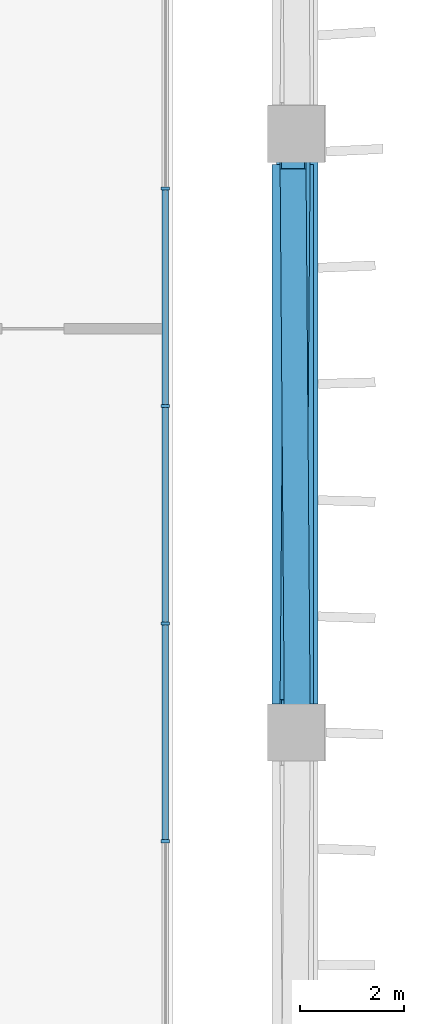
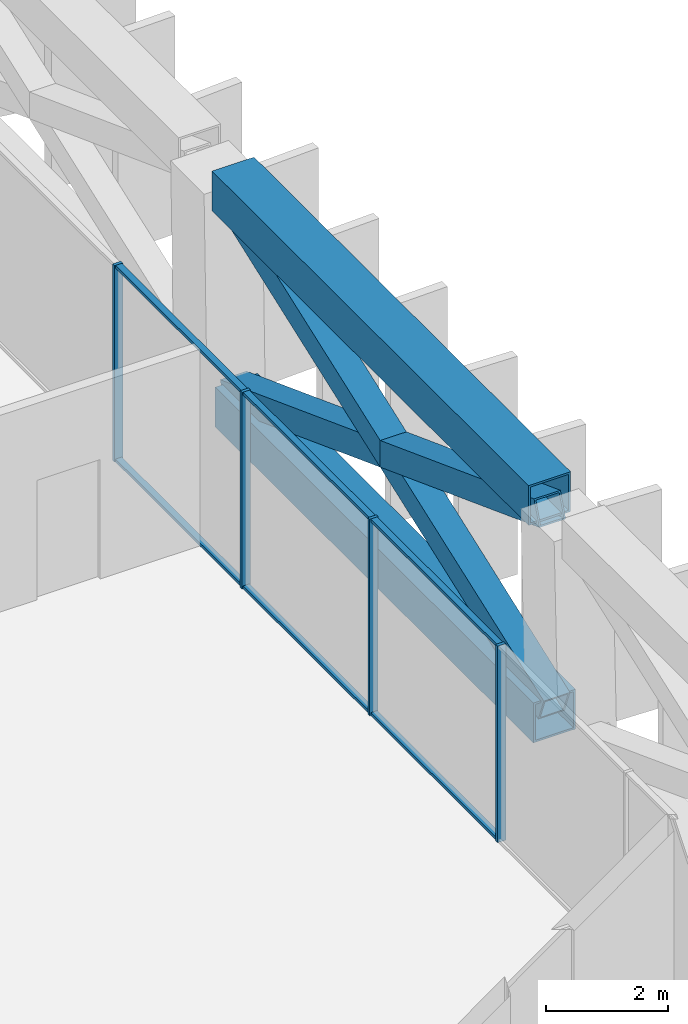
# One storey, part 8 of 17: 14 members, 1 element without a shape of its own.
"""IFC4 building model written with IfcOpenShell, lengths in metres."""

from ifc_helpers import new_model, si_unit, direction, frame, origin, origin_2d, place, context, subcontext, project, spatial, rectangle, hollow_rectangle, extrude, material, layer, layer_set, material_profile, profile_set, type_object, element, aggregate, save


model = new_model("IFC4")

# Units and contexts
model_context = context("Model", 3, precision=1e-05, world=origin(), true_north=direction((0.0, 1.0)))
body_context = subcontext(model_context, "Body", "Model", "MODEL_VIEW")
ifc_project = project(units=[si_unit("LENGTHUNIT", "METRE"), si_unit("AREAUNIT", "SQUARE_METRE"), si_unit("VOLUMEUNIT", "CUBIC_METRE"), si_unit("PLANEANGLEUNIT", "RADIAN"), si_unit("MASSUNIT", "GRAM", prefix="KILO")], contexts=[model_context])

# Site, building, storey
site_placement = place(None, origin())
site = spatial("IfcSite", under=ifc_project, at=site_placement, CompositionType="ELEMENT")
building_placement = place(site_placement, origin())
building = spatial("IfcBuilding", under=site, at=building_placement, Name="Jabali Bay Hotel Tower and Convention Centre", CompositionType="ELEMENT")
storey_placement = place(building_placement, frame((0.0, 0.0, 102.39990234375)))
storey = spatial("IfcBuildingStorey", under=building, at=storey_placement, Name="L24", CompositionType="ELEMENT", Elevation=102.39990234375)

# Members
ifc_material_1 = material(Name="Steel Q420GJC", Category="steel")
ifc_material_profile_1 = material_profile(ifc_material_1, hollow_rectangle(XDim=0.5, YDim=0.5, WallThickness=0.030029296875, at=origin_2d()), Name="Belt brace 500x500x30")
ifc_profile_set_1 = profile_set([ifc_material_profile_1], Name="Steel Q420GJC")
member_type_1 = type_object("IfcMemberType", Name="Belt brace 500x500x30", PredefinedType="BRACE", material=ifc_profile_set_1)
member_1_placement = place(storey_placement, frame((97.583984375, 80.550048828125, 0.210205078125), z_axis=(-0.007200392372, 0.934168838895, 0.356758650614), x_axis=(-0.999970296185, -0.007707577252, 0.0)))
element("IfcMember", 1, at=member_1_placement, inside=storey, type_object=member_type_1, Name="Belt brace T2 F0.3-F0.4 x1", PredefinedType="BRACE", context=body_context, shape_type="SweptSolid", body=[
    extrude(hollow_rectangle(XDim=0.5, YDim=0.5, WallThickness=0.030029296875, at=origin_2d()), origin(), (0.0, 0.0, 1.0), 11.1552734375),
])
member_2_placement = place(storey_placement, frame((97.583984375, 91.01806640625, 0.209228515625), z_axis=(-0.00717163959, -0.934645564439, 0.355508419676), x_axis=(0.99997056298, -0.007672885585, 0.0)))
element("IfcMember", 2, at=member_2_placement, inside=storey, type_object=member_type_1, Name="Belt brace T2 F0.3-F0.4 x2", PredefinedType="BRACE", context=body_context, shape_type="SweptSolid", body=[
    extrude(hollow_rectangle(XDim=0.5, YDim=0.5, WallThickness=0.030029296875, at=origin_2d()), origin(), (0.0, 0.0, 1.0), 11.199951171875),
])
ifc_material_profile_2 = material_profile(ifc_material_1, hollow_rectangle(XDim=0.800048828125, YDim=0.800048828125, WallThickness=0.0400390625, at=origin_2d()), Name="Belt chord 800x800x40")
ifc_profile_set_2 = profile_set([ifc_material_profile_2], Name="Steel Q420GJC")
member_type_2 = type_object("IfcMemberType", Name="Belt chord 800x800x40", PredefinedType="CHORD", material=ifc_profile_set_2)
member_3_placement = place(storey_placement, frame((97.58837890625, 80.550048828125, 0.0), z_axis=(0.0, 1.0, 0.0), x_axis=(-1.0, 0.0, 0.0)))
element("IfcMember", 3, at=member_3_placement, inside=storey, type_object=member_type_2, Name="Belt chord T2 F0.3-F0.4", PredefinedType="CHORD", context=body_context, shape_type="SweptSolid", body=[
    extrude(hollow_rectangle(XDim=0.800048828125, YDim=0.800048828125, WallThickness=0.0400390625, at=origin_2d()), origin(), (0.0, 0.0, 1.0), 10.4677734375),
])
member_4_placement = place(storey_placement, frame((97.49951171875, 80.550048828125, 4.400146484375), z_axis=(0.0, 1.0, 0.0), x_axis=(-1.0, 0.0, 0.0)))
element("IfcMember", 4, at=member_4_placement, inside=storey, type_object=member_type_2, Name="Belt chord T2 F0.3-F0.4", PredefinedType="CHORD", context=body_context, shape_type="SweptSolid", body=[
    extrude(hollow_rectangle(XDim=0.800048828125, YDim=0.800048828125, WallThickness=0.0400390625, at=origin_2d()), origin(), (0.0, 0.0, 1.0), 10.4208984375),
])

# Curtain wall, members
ifc_material_2 = material(Name="Aluminium and glass", Category="aluminium")
ifc_layer = layer(ifc_material_2, 0.159912109375)
ifc_layer_set = layer_set([ifc_layer], Name="Aluminium and glass")
curtain_wall_type = type_object("IfcCurtainWallType", Name="CW3 curtain wall", PredefinedType="NOTDEFINED", material=ifc_layer_set)
curtain_wall_placement = place(storey_placement, origin())
curtain_wall = element("IfcCurtainWall", 5, at=curtain_wall_placement, inside=storey, type_object=curtain_wall_type, Name="CW3 curtain wall east face L24", PredefinedType="NOTDEFINED")
ifc_material_3 = material(Name="Aluminium", Category="aluminium")
ifc_material_profile_3 = material_profile(ifc_material_3, rectangle(XDim=0.159912109375, YDim=0.06005859375, at=origin_2d()), Name="CW3 mullion 60 x 160")
ifc_profile_set_3 = profile_set([ifc_material_profile_3], Name="Aluminium")
member_type_3 = type_object("IfcMemberType", Name="CW3 mullion 60 x 160", PredefinedType="MULLION", material=ifc_profile_set_3)
member_5_placement = place(storey_placement, frame((95.038330078125, 90.50439453125, 0.0), z_axis=(0.0, 0.0, 1.0), x_axis=(1.0, 0.0, 0.0)))
member_5 = element("IfcMember", 6, at=member_5_placement, type_object=member_type_3, Name="CW3 mullion 5", PredefinedType="MULLION", context=body_context, shape_type="SweptSolid", body=[
    extrude(rectangle(XDim=0.159912109375, YDim=0.06005859375, at=origin_2d()), origin(), (0.0, 0.0, 1.0), 3.9501953125),
])
member_6_placement = place(storey_placement, frame((95.038330078125, 86.302490234375, 0.0), z_axis=(0.0, 0.0, 1.0), x_axis=(1.0, 0.0, 0.0)))
member_6 = element("IfcMember", 7, at=member_6_placement, type_object=member_type_3, Name="CW3 mullion 6", PredefinedType="MULLION", context=body_context, shape_type="SweptSolid", body=[
    extrude(rectangle(XDim=0.159912109375, YDim=0.06005859375, at=origin_2d()), origin(), (0.0, 0.0, 1.0), 3.9501953125),
])
member_7_placement = place(storey_placement, frame((95.038330078125, 82.100830078125, 0.0), z_axis=(0.0, 0.0, 1.0), x_axis=(1.0, 0.0, 0.0)))
member_7 = element("IfcMember", 8, at=member_7_placement, type_object=member_type_3, Name="CW3 mullion 7", PredefinedType="MULLION", context=body_context, shape_type="SweptSolid", body=[
    extrude(rectangle(XDim=0.159912109375, YDim=0.06005859375, at=origin_2d()), origin(), (0.0, 0.0, 1.0), 3.9501953125),
])
member_8_placement = place(storey_placement, frame((95.038330078125, 77.899169921875, 0.0), z_axis=(0.0, 0.0, 1.0), x_axis=(1.0, 0.0, 0.0)))
member_8 = element("IfcMember", 9, at=member_8_placement, type_object=member_type_3, Name="CW3 mullion 8", PredefinedType="MULLION", context=body_context, shape_type="SweptSolid", body=[
    extrude(rectangle(XDim=0.159912109375, YDim=0.06005859375, at=origin_2d()), origin(), (0.0, 0.0, 1.0), 3.9501953125),
])
ifc_material_profile_4 = material_profile(ifc_material_3, rectangle(XDim=0.1201171875, YDim=0.06005859375, at=origin_2d()), Name="CW3 transom 60 x 120")
ifc_profile_set_4 = profile_set([ifc_material_profile_4], Name="Aluminium")
member_type_4 = type_object("IfcMemberType", Name="CW3 transom 60 x 120", PredefinedType="USERDEFINED", material=ifc_profile_set_4)
member_9_placement = place(storey_placement, frame((95.038330078125, 90.474365234375, 0.030029296875), z_axis=(0.0, -1.0, 0.0), x_axis=(1.0, 0.0, 0.0)))
member_9 = element("IfcMember", 10, at=member_9_placement, type_object=member_type_4, Name="CW3 transom 5.1", ObjectType="TRANSOM", PredefinedType="USERDEFINED", context=body_context, shape_type="SweptSolid", body=[
    extrude(rectangle(XDim=0.1201171875, YDim=0.06005859375, at=origin_2d()), origin(), (0.0, 0.0, 1.0), 4.141845703125),
])
member_10_placement = place(storey_placement, frame((95.038330078125, 90.474365234375, 3.920166015625), z_axis=(0.0, -1.0, 0.0), x_axis=(1.0, 0.0, 0.0)))
member_10 = element("IfcMember", 11, at=member_10_placement, type_object=member_type_4, Name="CW3 transom 5.2", ObjectType="TRANSOM", PredefinedType="USERDEFINED", context=body_context, shape_type="SweptSolid", body=[
    extrude(rectangle(XDim=0.1201171875, YDim=0.06005859375, at=origin_2d()), origin(), (0.0, 0.0, 1.0), 4.141845703125),
])
member_11_placement = place(storey_placement, frame((95.038330078125, 86.272705078125, 0.030029296875), z_axis=(0.0, -1.0, 0.0), x_axis=(1.0, 0.0, 0.0)))
member_11 = element("IfcMember", 12, at=member_11_placement, type_object=member_type_4, Name="CW3 transom 6.1", ObjectType="TRANSOM", PredefinedType="USERDEFINED", context=body_context, shape_type="SweptSolid", body=[
    extrude(rectangle(XDim=0.1201171875, YDim=0.06005859375, at=origin_2d()), origin(), (0.0, 0.0, 1.0), 4.141845703125),
])
member_12_placement = place(storey_placement, frame((95.038330078125, 86.272705078125, 3.920166015625), z_axis=(0.0, -1.0, 0.0), x_axis=(1.0, 0.0, 0.0)))
member_12 = element("IfcMember", 13, at=member_12_placement, type_object=member_type_4, Name="CW3 transom 6.2", ObjectType="TRANSOM", PredefinedType="USERDEFINED", context=body_context, shape_type="SweptSolid", body=[
    extrude(rectangle(XDim=0.1201171875, YDim=0.06005859375, at=origin_2d()), origin(), (0.0, 0.0, 1.0), 4.141845703125),
])
member_13_placement = place(storey_placement, frame((95.038330078125, 82.07080078125, 0.030029296875), z_axis=(0.0, -1.0, 0.0), x_axis=(1.0, 0.0, 0.0)))
member_13 = element("IfcMember", 14, at=member_13_placement, type_object=member_type_4, Name="CW3 transom 7.1", ObjectType="TRANSOM", PredefinedType="USERDEFINED", context=body_context, shape_type="SweptSolid", body=[
    extrude(rectangle(XDim=0.1201171875, YDim=0.06005859375, at=origin_2d()), origin(), (0.0, 0.0, 1.0), 4.1416015625),
])
member_14_placement = place(storey_placement, frame((95.038330078125, 82.07080078125, 3.920166015625), z_axis=(0.0, -1.0, 0.0), x_axis=(1.0, 0.0, 0.0)))
member_14 = element("IfcMember", 15, at=member_14_placement, type_object=member_type_4, Name="CW3 transom 7.2", ObjectType="TRANSOM", PredefinedType="USERDEFINED", context=body_context, shape_type="SweptSolid", body=[
    extrude(rectangle(XDim=0.1201171875, YDim=0.06005859375, at=origin_2d()), origin(), (0.0, 0.0, 1.0), 4.1416015625),
])
aggregate(curtain_wall, [member_5, member_6, member_7, member_8, member_9, member_10, member_11, member_12, member_13, member_14])

save(model, "model.ifc")
